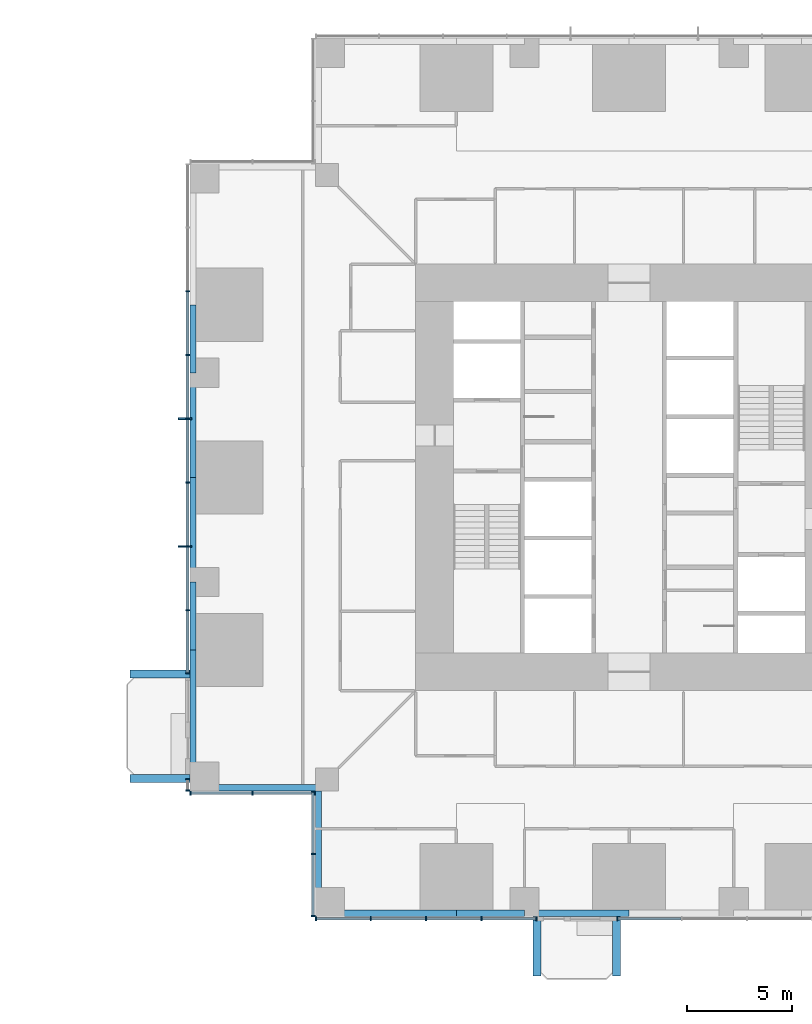
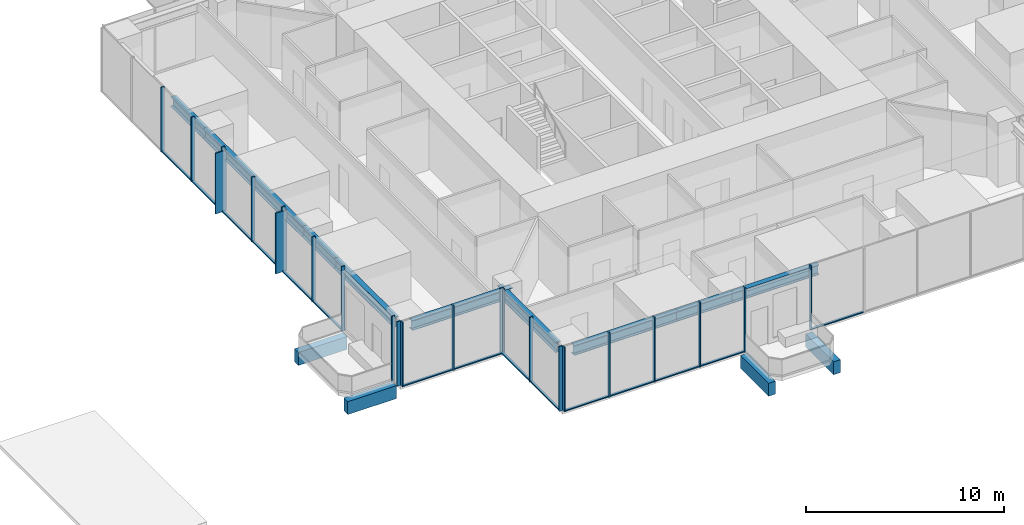
# One storey, part 2 of 16: 38 members, 14 beams, 6 elements without a shape of their own.
"""IFC4 building model written with IfcOpenShell, lengths in metres."""

from ifc_helpers import new_model, si_unit, direction, frame, origin, origin_2d, place, context, subcontext, project, spatial, rectangle, i_section, extrude, material, material_profile, profile_set, type_object, element, aggregate, save


model = new_model("IFC4")

# Units and contexts
model_context = context("Model", 3, precision=1e-05, world=origin(), true_north=direction((0.0, 1.0)))
body_context = subcontext(model_context, "Body", "Model", "MODEL_VIEW")
ifc_project = project(units=[si_unit("LENGTHUNIT", "METRE"), si_unit("AREAUNIT", "SQUARE_METRE"), si_unit("VOLUMEUNIT", "CUBIC_METRE"), si_unit("PLANEANGLEUNIT", "RADIAN"), si_unit("MASSUNIT", "GRAM", prefix="KILO")], contexts=[model_context])

# Site, building, storey
site_placement = place(None, origin())
site = spatial("IfcSite", under=ifc_project, at=site_placement, CompositionType="ELEMENT")
building_placement = place(site_placement, origin())
building = spatial("IfcBuilding", under=site, at=building_placement, Name="Svetlomir Tower", CompositionType="ELEMENT")
storey_placement = place(building_placement, frame((0.0, 0.0, 22.5)))
storey = spatial("IfcBuildingStorey", under=building, at=storey_placement, Name="L04", CompositionType="ELEMENT", Elevation=22.5)

# Beams
ifc_material_1 = material(Name="Concrete C60/75", Category="concrete")
ifc_material_profile_1 = material_profile(ifc_material_1, rectangle(XDim=0.39990234375, YDim=0.800048828125, at=origin_2d()), Name="RC 400x800")
ifc_profile_set_1 = profile_set([ifc_material_profile_1], Name="Concrete C60/75")
beam_type_1 = type_object("IfcBeamType", Name="BALCONY RIB RC 400x800", PredefinedType="BEAM", material=ifc_profile_set_1)
for number, where, z_axis, x_axis, name in (
    (1, (16.60009765625, 0.0, -0.64990234375), (0.0, -1.0, 0.0), (1.0, 0.0, 0.0), "Balcony rib S 1 L04"),
    (2, (20.39990234375, 0.0, -0.64990234375), (0.0, -1.0, 0.0), (1.0, 0.0, 0.0), "Balcony rib S 2 L04"),
    (3, (0.0, 6.60009765625, -0.64990234375), (-1.0, 0.0, 0.0), (0.0, -1.0, 0.0), "Balcony rib W 1 L04"),
    (4, (0.0, 11.60009765625, -0.64990234375), (-1.0, 0.0, 0.0), (0.0, -1.0, 0.0), "Balcony rib W 2 L04"),
):
    element("IfcBeam", number, at=place(storey_placement, frame(where, z_axis=z_axis, x_axis=x_axis)), inside=storey, type_object=beam_type_1, Name=name, PredefinedType="BEAM", context=body_context, shape_type="SweptSolid", body=[
        extrude(rectangle(XDim=0.39990234375, YDim=0.800048828125, at=origin_2d()), origin(), (0.0, 0.0, 1.0), 2.85009765625),
    ])

# Curtain wall, members
ifc_material_2 = material(Name="Bronze anodised aluminium curtain wall", Category="aluminium")
curtain_wall_type = type_object("IfcCurtainWallType", Name="CURTAIN WALL CW1 TOWER OFFICE", PredefinedType="NOTDEFINED", material=ifc_material_2)
curtain_wall_1_placement = place(storey_placement, origin())
curtain_wall_1 = element("IfcCurtainWall", 5, at=curtain_wall_1_placement, inside=storey, type_object=curtain_wall_type, Name="Curtain wall CW1 L04", PredefinedType="NOTDEFINED")
ifc_material_3 = material(Name="Bronze anodised aluminium", Category="aluminium")
ifc_material_profile_2 = material_profile(ifc_material_3, rectangle(XDim=0.080078125, YDim=0.64990234375, at=origin_2d()), Name="FIN 80x650")
ifc_profile_set_2 = profile_set([ifc_material_profile_2], Name="Bronze anodised aluminium 6063-T6")
member_type_1 = type_object("IfcMemberType", Name="BRONZE FIN 80x650", PredefinedType="USERDEFINED", material=ifc_profile_set_2)
member_1_placement = place(storey_placement, frame((-0.22509765625, 23.800048828125, 0.0), z_axis=(0.0, 0.0, 1.0), x_axis=(0.0, 1.0, 0.0)))
member_1 = element("IfcMember", 6, at=member_1_placement, type_object=member_type_1, Name="Bronze fin L04", ObjectType="FIN", PredefinedType="USERDEFINED", context=body_context, shape_type="SweptSolid", body=[
    extrude(rectangle(XDim=0.080078125, YDim=0.64990234375, at=origin_2d()), origin(), (0.0, 0.0, 1.0), 3.75),
])
member_2_placement = place(storey_placement, frame((-0.22509765625, 17.699951171875, 0.0), z_axis=(0.0, 0.0, 1.0), x_axis=(0.0, 1.0, 0.0)))
member_2 = element("IfcMember", 7, at=member_2_placement, type_object=member_type_1, Name="Bronze fin L04", ObjectType="FIN", PredefinedType="USERDEFINED", context=body_context, shape_type="SweptSolid", body=[
    extrude(rectangle(XDim=0.080078125, YDim=0.64990234375, at=origin_2d()), origin(), (0.0, 0.0, 1.0), 3.75),
])

curtain_wall_2_placement = place(storey_placement, origin())
curtain_wall_2 = element("IfcCurtainWall", 8, at=curtain_wall_2_placement, inside=storey, type_object=curtain_wall_type, Name="Curtain wall CW1 L04", PredefinedType="NOTDEFINED")
ifc_material_4 = material(Name="Bronze anodised aluminium", Category="aluminium")
ifc_material_profile_3 = material_profile(ifc_material_4, rectangle(XDim=0.06494140625, YDim=0.199951171875, at=origin_2d()), Name="AL 65x200")
ifc_profile_set_3 = profile_set([ifc_material_profile_3], Name="Bronze anodised aluminium 6063-T6")
member_type_2 = type_object("IfcMemberType", Name="CW1 MULLION 65x200", PredefinedType="MULLION", material=ifc_profile_set_3)
member_3_placement = place(storey_placement, frame((6.032470703125, -0.10009765625, 0.0), z_axis=(0.0, 0.0, 1.0), x_axis=(1.0, 0.0, 0.0)))
member_3 = element("IfcMember", 9, at=member_3_placement, type_object=member_type_2, Name="CW1 mullion 1", PredefinedType="MULLION", context=body_context, shape_type="SweptSolid", body=[
    extrude(rectangle(XDim=0.06494140625, YDim=0.199951171875, at=origin_2d()), origin(), (0.0, 0.0, 1.0), 4.0),
])
member_4_placement = place(storey_placement, frame((8.64990234375, -0.10009765625, 0.0), z_axis=(0.0, 0.0, 1.0), x_axis=(1.0, 0.0, 0.0)))
member_4 = element("IfcMember", 10, at=member_4_placement, type_object=member_type_2, Name="CW1 mullion 2", PredefinedType="MULLION", context=body_context, shape_type="SweptSolid", body=[
    extrude(rectangle(XDim=0.06494140625, YDim=0.199951171875, at=origin_2d()), origin(), (0.0, 0.0, 1.0), 4.0),
])
member_5_placement = place(storey_placement, frame((11.300048828125, -0.10009765625, 0.0), z_axis=(0.0, 0.0, 1.0), x_axis=(1.0, 0.0, 0.0)))
member_5 = element("IfcMember", 11, at=member_5_placement, type_object=member_type_2, Name="CW1 mullion 3", PredefinedType="MULLION", context=body_context, shape_type="SweptSolid", body=[
    extrude(rectangle(XDim=0.06494140625, YDim=0.199951171875, at=origin_2d()), origin(), (0.0, 0.0, 1.0), 4.0),
])
member_6_placement = place(storey_placement, frame((13.949951171875, -0.10009765625, 0.0), z_axis=(0.0, 0.0, 1.0), x_axis=(1.0, 0.0, 0.0)))
member_6 = element("IfcMember", 12, at=member_6_placement, type_object=member_type_2, Name="CW1 mullion 4", PredefinedType="MULLION", context=body_context, shape_type="SweptSolid", body=[
    extrude(rectangle(XDim=0.06494140625, YDim=0.199951171875, at=origin_2d()), origin(), (0.0, 0.0, 1.0), 4.0),
])
member_7_placement = place(storey_placement, frame((16.5673828125, -0.10009765625, 0.0), z_axis=(0.0, 0.0, 1.0), x_axis=(1.0, 0.0, 0.0)))
member_7 = element("IfcMember", 13, at=member_7_placement, type_object=member_type_2, Name="CW1 mullion 5", PredefinedType="MULLION", context=body_context, shape_type="SweptSolid", body=[
    extrude(rectangle(XDim=0.06494140625, YDim=0.199951171875, at=origin_2d()), origin(), (0.0, 0.0, 1.0), 4.0),
])

# Curtain wall, member
curtain_wall_3_placement = place(storey_placement, origin())
curtain_wall_3 = element("IfcCurtainWall", 14, at=curtain_wall_3_placement, inside=storey, type_object=curtain_wall_type, Name="Curtain wall CW1 L04", PredefinedType="NOTDEFINED")
member_8_placement = place(storey_placement, frame((20.4326171875, -0.10009765625, 0.0), z_axis=(0.0, 0.0, 1.0), x_axis=(1.0, 0.0, 0.0)))
member_8 = element("IfcMember", 15, at=member_8_placement, type_object=member_type_2, Name="CW1 mullion 1", PredefinedType="MULLION", context=body_context, shape_type="SweptSolid", body=[
    extrude(rectangle(XDim=0.06494140625, YDim=0.199951171875, at=origin_2d()), origin(), (0.0, 0.0, 1.0), 4.0),
])

# Member
member_9_placement = place(storey_placement, frame((-0.10009765625, 29.89990234375, 0.0), z_axis=(0.0, 0.0, 1.0), x_axis=(0.0, -1.0, 0.0)))
member_9 = element("IfcMember", 16, at=member_9_placement, type_object=member_type_2, Name="CW1 mullion 3", PredefinedType="MULLION", context=body_context, shape_type="SweptSolid", body=[
    extrude(rectangle(XDim=0.06494140625, YDim=0.199951171875, at=origin_2d()), origin(), (0.0, 0.0, 1.0), 4.0),
])

member_10_placement = place(storey_placement, frame((-0.10009765625, 26.85009765625, 0.0), z_axis=(0.0, 0.0, 1.0), x_axis=(0.0, -1.0, 0.0)))
member_10 = element("IfcMember", 17, at=member_10_placement, type_object=member_type_2, Name="CW1 mullion 4", PredefinedType="MULLION", context=body_context, shape_type="SweptSolid", body=[
    extrude(rectangle(XDim=0.06494140625, YDim=0.199951171875, at=origin_2d()), origin(), (0.0, 0.0, 1.0), 4.0),
])

member_11_placement = place(storey_placement, frame((-0.10009765625, 23.800048828125, 0.0), z_axis=(0.0, 0.0, 1.0), x_axis=(0.0, -1.0, 0.0)))
member_11 = element("IfcMember", 18, at=member_11_placement, type_object=member_type_2, Name="CW1 mullion 5", PredefinedType="MULLION", context=body_context, shape_type="SweptSolid", body=[
    extrude(rectangle(XDim=0.06494140625, YDim=0.199951171875, at=origin_2d()), origin(), (0.0, 0.0, 1.0), 4.0),
])

member_12_placement = place(storey_placement, frame((-0.10009765625, 20.75, 0.0), z_axis=(0.0, 0.0, 1.0), x_axis=(0.0, -1.0, 0.0)))
member_12 = element("IfcMember", 19, at=member_12_placement, type_object=member_type_2, Name="CW1 mullion 6", PredefinedType="MULLION", context=body_context, shape_type="SweptSolid", body=[
    extrude(rectangle(XDim=0.06494140625, YDim=0.199951171875, at=origin_2d()), origin(), (0.0, 0.0, 1.0), 4.0),
])

member_13_placement = place(storey_placement, frame((-0.10009765625, 17.699951171875, 0.0), z_axis=(0.0, 0.0, 1.0), x_axis=(0.0, -1.0, 0.0)))
member_13 = element("IfcMember", 20, at=member_13_placement, type_object=member_type_2, Name="CW1 mullion 7", PredefinedType="MULLION", context=body_context, shape_type="SweptSolid", body=[
    extrude(rectangle(XDim=0.06494140625, YDim=0.199951171875, at=origin_2d()), origin(), (0.0, 0.0, 1.0), 4.0),
])

member_14_placement = place(storey_placement, frame((-0.10009765625, 14.64990234375, 0.0), z_axis=(0.0, 0.0, 1.0), x_axis=(0.0, -1.0, 0.0)))
member_14 = element("IfcMember", 21, at=member_14_placement, type_object=member_type_2, Name="CW1 mullion 8", PredefinedType="MULLION", context=body_context, shape_type="SweptSolid", body=[
    extrude(rectangle(XDim=0.06494140625, YDim=0.199951171875, at=origin_2d()), origin(), (0.0, 0.0, 1.0), 4.0),
])

member_15_placement = place(storey_placement, frame((-0.10009765625, 11.632568359375, 0.0), z_axis=(0.0, 0.0, 1.0), x_axis=(0.0, -1.0, 0.0)))
member_15 = element("IfcMember", 22, at=member_15_placement, type_object=member_type_2, Name="CW1 mullion 9", PredefinedType="MULLION", context=body_context, shape_type="SweptSolid", body=[
    extrude(rectangle(XDim=0.06494140625, YDim=0.199951171875, at=origin_2d()), origin(), (0.0, 0.0, 1.0), 4.0),
])

# Curtain wall, members
curtain_wall_4_placement = place(storey_placement, origin())
curtain_wall_4 = element("IfcCurtainWall", 23, at=curtain_wall_4_placement, inside=storey, type_object=curtain_wall_type, Name="Curtain wall CW1 L04", PredefinedType="NOTDEFINED")
member_16_placement = place(storey_placement, frame((-0.10009765625, 6.5673828125, 0.0), z_axis=(0.0, 0.0, 1.0), x_axis=(0.0, -1.0, 0.0)))
member_16 = element("IfcMember", 24, at=member_16_placement, type_object=member_type_2, Name="CW1 mullion 1", PredefinedType="MULLION", context=body_context, shape_type="SweptSolid", body=[
    extrude(rectangle(XDim=0.06494140625, YDim=0.199951171875, at=origin_2d()), origin(), (0.0, 0.0, 1.0), 4.0),
])
member_17_placement = place(storey_placement, frame((-0.10009765625, 6.032470703125, 0.0), z_axis=(0.0, 0.0, 1.0), x_axis=(0.0, -1.0, 0.0)))
member_17 = element("IfcMember", 25, at=member_17_placement, type_object=member_type_2, Name="CW1 mullion 2", PredefinedType="MULLION", context=body_context, shape_type="SweptSolid", body=[
    extrude(rectangle(XDim=0.06494140625, YDim=0.199951171875, at=origin_2d()), origin(), (0.0, 0.0, 1.0), 4.0),
])
aggregate(curtain_wall_4, [member_16, member_17])

curtain_wall_5_placement = place(storey_placement, origin())
curtain_wall_5 = element("IfcCurtainWall", 26, at=curtain_wall_5_placement, inside=storey, type_object=curtain_wall_type, Name="Curtain wall CW1 L04", PredefinedType="NOTDEFINED")
member_18_placement = place(storey_placement, frame((0.032470703125, 5.89990234375, 0.0), z_axis=(0.0, 0.0, 1.0), x_axis=(1.0, 0.0, 0.0)))
member_18 = element("IfcMember", 27, at=member_18_placement, type_object=member_type_2, Name="CW1 mullion 1", PredefinedType="MULLION", context=body_context, shape_type="SweptSolid", body=[
    extrude(rectangle(XDim=0.06494140625, YDim=0.199951171875, at=origin_2d()), origin(), (0.0, 0.0, 1.0), 4.0),
])
member_19_placement = place(storey_placement, frame((3.0, 5.89990234375, 0.0), z_axis=(0.0, 0.0, 1.0), x_axis=(1.0, 0.0, 0.0)))
member_19 = element("IfcMember", 28, at=member_19_placement, type_object=member_type_2, Name="CW1 mullion 2", PredefinedType="MULLION", context=body_context, shape_type="SweptSolid", body=[
    extrude(rectangle(XDim=0.06494140625, YDim=0.199951171875, at=origin_2d()), origin(), (0.0, 0.0, 1.0), 4.0),
])
member_20_placement = place(storey_placement, frame((5.967529296875, 5.89990234375, 0.0), z_axis=(0.0, 0.0, 1.0), x_axis=(1.0, 0.0, 0.0)))
member_20 = element("IfcMember", 29, at=member_20_placement, type_object=member_type_2, Name="CW1 mullion 3", PredefinedType="MULLION", context=body_context, shape_type="SweptSolid", body=[
    extrude(rectangle(XDim=0.06494140625, YDim=0.199951171875, at=origin_2d()), origin(), (0.0, 0.0, 1.0), 4.0),
])

curtain_wall_6_placement = place(storey_placement, origin())
curtain_wall_6 = element("IfcCurtainWall", 30, at=curtain_wall_6_placement, inside=storey, type_object=curtain_wall_type, Name="Curtain wall CW1 L04", PredefinedType="NOTDEFINED")
member_21_placement = place(storey_placement, frame((5.89990234375, 5.967529296875, 0.0), z_axis=(0.0, 0.0, 1.0), x_axis=(0.0, -1.0, 0.0)))
member_21 = element("IfcMember", 31, at=member_21_placement, type_object=member_type_2, Name="CW1 mullion 1", PredefinedType="MULLION", context=body_context, shape_type="SweptSolid", body=[
    extrude(rectangle(XDim=0.06494140625, YDim=0.199951171875, at=origin_2d()), origin(), (0.0, 0.0, 1.0), 4.0),
])
member_22_placement = place(storey_placement, frame((5.89990234375, 3.0, 0.0), z_axis=(0.0, 0.0, 1.0), x_axis=(0.0, -1.0, 0.0)))
member_22 = element("IfcMember", 32, at=member_22_placement, type_object=member_type_2, Name="CW1 mullion 2", PredefinedType="MULLION", context=body_context, shape_type="SweptSolid", body=[
    extrude(rectangle(XDim=0.06494140625, YDim=0.199951171875, at=origin_2d()), origin(), (0.0, 0.0, 1.0), 4.0),
])
member_23_placement = place(storey_placement, frame((5.89990234375, 0.032470703125, 0.0), z_axis=(0.0, 0.0, 1.0), x_axis=(0.0, -1.0, 0.0)))
member_23 = element("IfcMember", 33, at=member_23_placement, type_object=member_type_2, Name="CW1 mullion 3", PredefinedType="MULLION", context=body_context, shape_type="SweptSolid", body=[
    extrude(rectangle(XDim=0.06494140625, YDim=0.199951171875, at=origin_2d()), origin(), (0.0, 0.0, 1.0), 4.0),
])

# Member
ifc_material_5 = material(Name="Bronze anodised aluminium", Category="aluminium")
ifc_material_profile_4 = material_profile(ifc_material_5, rectangle(XDim=0.139892578125, YDim=0.06494140625, at=origin_2d()), Name="AL 140x65")
ifc_profile_set_4 = profile_set([ifc_material_profile_4], Name="Bronze anodised aluminium 6063-T6")
member_type_3 = type_object("IfcMemberType", Name="CW1 TRANSOM 65x140", PredefinedType="USERDEFINED", material=ifc_profile_set_4)
member_24_placement = place(storey_placement, frame((6.06494140625, -0.10009765625, 0.032470703125), z_axis=(1.0, 0.0, 0.0), x_axis=(0.0, 1.0, 0.0)))
member_24 = element("IfcMember", 34, at=member_24_placement, type_object=member_type_3, Name="CW1 transom 1.1", ObjectType="TRANSOM", PredefinedType="USERDEFINED", context=body_context, shape_type="SweptSolid", body=[
    extrude(rectangle(XDim=0.139892578125, YDim=0.06494140625, at=origin_2d()), origin(), (0.0, 0.0, 1.0), 2.552490234375),
])

member_25_placement = place(storey_placement, frame((8.6826171875, -0.10009765625, 0.032470703125), z_axis=(1.0, 0.0, 0.0), x_axis=(0.0, 1.0, 0.0)))
member_25 = element("IfcMember", 35, at=member_25_placement, type_object=member_type_3, Name="CW1 transom 2.1", ObjectType="TRANSOM", PredefinedType="USERDEFINED", context=body_context, shape_type="SweptSolid", body=[
    extrude(rectangle(XDim=0.139892578125, YDim=0.06494140625, at=origin_2d()), origin(), (0.0, 0.0, 1.0), 2.5849609375),
])

member_26_placement = place(storey_placement, frame((11.33251953125, -0.10009765625, 0.032470703125), z_axis=(1.0, 0.0, 0.0), x_axis=(0.0, 1.0, 0.0)))
member_26 = element("IfcMember", 36, at=member_26_placement, type_object=member_type_3, Name="CW1 transom 3.1", ObjectType="TRANSOM", PredefinedType="USERDEFINED", context=body_context, shape_type="SweptSolid", body=[
    extrude(rectangle(XDim=0.139892578125, YDim=0.06494140625, at=origin_2d()), origin(), (0.0, 0.0, 1.0), 2.5849609375),
])

member_27_placement = place(storey_placement, frame((13.982421875, -0.10009765625, 0.032470703125), z_axis=(1.0, 0.0, 0.0), x_axis=(0.0, 1.0, 0.0)))
member_27 = element("IfcMember", 37, at=member_27_placement, type_object=member_type_3, Name="CW1 transom 4.1", ObjectType="TRANSOM", PredefinedType="USERDEFINED", context=body_context, shape_type="SweptSolid", body=[
    extrude(rectangle(XDim=0.139892578125, YDim=0.06494140625, at=origin_2d()), origin(), (0.0, 0.0, 1.0), 2.552490234375),
])

aggregate(curtain_wall_2, [member_3, member_4, member_5, member_6, member_7, member_24, member_25, member_26, member_27])

member_28_placement = place(storey_placement, frame((20.465087890625, -0.10009765625, 0.032470703125), z_axis=(1.0, 0.0, 0.0), x_axis=(0.0, 1.0, 0.0)))
member_28 = element("IfcMember", 38, at=member_28_placement, type_object=member_type_3, Name="CW1 transom 1.1", ObjectType="TRANSOM", PredefinedType="USERDEFINED", context=body_context, shape_type="SweptSolid", body=[
    extrude(rectangle(XDim=0.139892578125, YDim=0.06494140625, at=origin_2d()), origin(), (0.0, 0.0, 1.0), 3.0224609375),
])

aggregate(curtain_wall_3, [member_8, member_28])

member_29_placement = place(storey_placement, frame((-0.10009765625, 29.867431640625, 0.032470703125), z_axis=(0.0, -1.0, 0.0), x_axis=(1.0, 0.0, 0.0)))
member_29 = element("IfcMember", 39, at=member_29_placement, type_object=member_type_3, Name="CW1 transom 3.1", ObjectType="TRANSOM", PredefinedType="USERDEFINED", context=body_context, shape_type="SweptSolid", body=[
    extrude(rectangle(XDim=0.139892578125, YDim=0.06494140625, at=origin_2d()), origin(), (0.0, 0.0, 1.0), 2.98486328125),
])

member_30_placement = place(storey_placement, frame((-0.10009765625, 26.8173828125, 0.032470703125), z_axis=(0.0, -1.0, 0.0), x_axis=(1.0, 0.0, 0.0)))
member_30 = element("IfcMember", 40, at=member_30_placement, type_object=member_type_3, Name="CW1 transom 4.1", ObjectType="TRANSOM", PredefinedType="USERDEFINED", context=body_context, shape_type="SweptSolid", body=[
    extrude(rectangle(XDim=0.139892578125, YDim=0.06494140625, at=origin_2d()), origin(), (0.0, 0.0, 1.0), 2.98486328125),
])

member_31_placement = place(storey_placement, frame((-0.10009765625, 23.767578125, 0.032470703125), z_axis=(0.0, -1.0, 0.0), x_axis=(1.0, 0.0, 0.0)))
member_31 = element("IfcMember", 41, at=member_31_placement, type_object=member_type_3, Name="CW1 transom 5.1", ObjectType="TRANSOM", PredefinedType="USERDEFINED", context=body_context, shape_type="SweptSolid", body=[
    extrude(rectangle(XDim=0.139892578125, YDim=0.06494140625, at=origin_2d()), origin(), (0.0, 0.0, 1.0), 2.985107421875),
])

member_32_placement = place(storey_placement, frame((-0.10009765625, 20.717529296875, 0.032470703125), z_axis=(0.0, -1.0, 0.0), x_axis=(1.0, 0.0, 0.0)))
member_32 = element("IfcMember", 42, at=member_32_placement, type_object=member_type_3, Name="CW1 transom 6.1", ObjectType="TRANSOM", PredefinedType="USERDEFINED", context=body_context, shape_type="SweptSolid", body=[
    extrude(rectangle(XDim=0.139892578125, YDim=0.06494140625, at=origin_2d()), origin(), (0.0, 0.0, 1.0), 2.985107421875),
])

member_33_placement = place(storey_placement, frame((-0.10009765625, 17.66748046875, 0.032470703125), z_axis=(0.0, -1.0, 0.0), x_axis=(1.0, 0.0, 0.0)))
member_33 = element("IfcMember", 43, at=member_33_placement, type_object=member_type_3, Name="CW1 transom 7.1", ObjectType="TRANSOM", PredefinedType="USERDEFINED", context=body_context, shape_type="SweptSolid", body=[
    extrude(rectangle(XDim=0.139892578125, YDim=0.06494140625, at=origin_2d()), origin(), (0.0, 0.0, 1.0), 2.98486328125),
])

member_34_placement = place(storey_placement, frame((-0.10009765625, 14.617431640625, 0.032470703125), z_axis=(0.0, -1.0, 0.0), x_axis=(1.0, 0.0, 0.0)))
member_34 = element("IfcMember", 44, at=member_34_placement, type_object=member_type_3, Name="CW1 transom 8.1", ObjectType="TRANSOM", PredefinedType="USERDEFINED", context=body_context, shape_type="SweptSolid", body=[
    extrude(rectangle(XDim=0.139892578125, YDim=0.06494140625, at=origin_2d()), origin(), (0.0, 0.0, 1.0), 2.952392578125),
])

aggregate(curtain_wall_1, [member_9, member_10, member_11, member_12, member_13, member_14, member_15, member_29, member_30, member_31, member_32, member_33, member_34, member_1, member_2])

member_35_placement = place(storey_placement, frame((0.06494140625, 5.89990234375, 0.032470703125), z_axis=(1.0, 0.0, 0.0), x_axis=(0.0, 1.0, 0.0)))
member_35 = element("IfcMember", 45, at=member_35_placement, type_object=member_type_3, Name="CW1 transom 1.1", ObjectType="TRANSOM", PredefinedType="USERDEFINED", context=body_context, shape_type="SweptSolid", body=[
    extrude(rectangle(XDim=0.139892578125, YDim=0.06494140625, at=origin_2d()), origin(), (0.0, 0.0, 1.0), 2.902587890625),
])

member_36_placement = place(storey_placement, frame((3.032470703125, 5.89990234375, 0.032470703125), z_axis=(1.0, 0.0, 0.0), x_axis=(0.0, 1.0, 0.0)))
member_36 = element("IfcMember", 46, at=member_36_placement, type_object=member_type_3, Name="CW1 transom 2.1", ObjectType="TRANSOM", PredefinedType="USERDEFINED", context=body_context, shape_type="SweptSolid", body=[
    extrude(rectangle(XDim=0.139892578125, YDim=0.06494140625, at=origin_2d()), origin(), (0.0, 0.0, 1.0), 2.902587890625),
])

aggregate(curtain_wall_5, [member_18, member_19, member_20, member_35, member_36])

member_37_placement = place(storey_placement, frame((5.89990234375, 5.93505859375, 0.032470703125), z_axis=(0.0, -1.0, 0.0), x_axis=(1.0, 0.0, 0.0)))
member_37 = element("IfcMember", 47, at=member_37_placement, type_object=member_type_3, Name="CW1 transom 1.1", ObjectType="TRANSOM", PredefinedType="USERDEFINED", context=body_context, shape_type="SweptSolid", body=[
    extrude(rectangle(XDim=0.139892578125, YDim=0.06494140625, at=origin_2d()), origin(), (0.0, 0.0, 1.0), 2.902587890625),
])

member_38_placement = place(storey_placement, frame((5.89990234375, 2.967529296875, 0.032470703125), z_axis=(0.0, -1.0, 0.0), x_axis=(1.0, 0.0, 0.0)))
member_38 = element("IfcMember", 48, at=member_38_placement, type_object=member_type_3, Name="CW1 transom 2.1", ObjectType="TRANSOM", PredefinedType="USERDEFINED", context=body_context, shape_type="SweptSolid", body=[
    extrude(rectangle(XDim=0.139892578125, YDim=0.06494140625, at=origin_2d()), origin(), (0.0, 0.0, 1.0), 2.902587890625),
])

aggregate(curtain_wall_6, [member_21, member_22, member_23, member_37, member_38])

# Beams
ifc_material_6 = material(Name="Steel S355", Category="steel")
ifc_material_profile_5 = material_profile(ifc_material_6, i_section(OverallWidth=0.304931640625, OverallDepth=0.6201171875, WebThickness=0.02099609375, FlangeThickness=0.0400390625, FilletRadius=0.027099609375, at=origin_2d()), Name="HEM 600")
ifc_profile_set_5 = profile_set([ifc_material_profile_5], Name="Steel S355")
beam_type_2 = type_object("IfcBeamType", Name="EDGE BEAM HEM 600", PredefinedType="SPANDREL", material=ifc_profile_set_5)
for number, where, z_axis, x_axis, name in (
    (49, (6.699951171875, 0.152587890625, 3.43994140625), (1.0, 0.0, 0.0), (0.0, 1.0, 0.0), "Edge beam 6/0 to 11/0 under L05"),
    (50, (0.152587890625, 6.699951171875, 3.43994140625), (0.0, 1.0, 0.0), (-1.0, 0.0, 0.0), "Edge beam 0/6 to 0/11 under L05"),
):
    element("IfcBeam", number, at=place(storey_placement, frame(where, z_axis=z_axis, x_axis=x_axis)), inside=storey, type_object=beam_type_2, Name=name, PredefinedType="SPANDREL", context=body_context, shape_type="SweptSolid", body=[
        extrude(i_section(OverallWidth=0.304931640625, OverallDepth=0.6201171875, WebThickness=0.02099609375, FlangeThickness=0.0400390625, FilletRadius=0.027099609375, at=origin_2d()), origin(), (0.0, 0.0, 1.0), 6.050048828125),
    ])
for number, where, z_axis, x_axis, name in (
    (51, (12.75, 0.152587890625, 3.43994140625), (1.0, 0.0, 0.0), (0.0, 1.0, 0.0), "Edge beam 11/0 to 16/0 under L05"),
    (52, (0.152587890625, 12.75, 3.43994140625), (0.0, 1.0, 0.0), (-1.0, 0.0, 0.0), "Edge beam 0/11 to 0/16 under L05"),
):
    element("IfcBeam", number, at=place(storey_placement, frame(where, z_axis=z_axis, x_axis=x_axis)), inside=storey, type_object=beam_type_2, Name=name, PredefinedType="SPANDREL", context=body_context, shape_type="SweptSolid", body=[
        extrude(i_section(OverallWidth=0.304931640625, OverallDepth=0.6201171875, WebThickness=0.02099609375, FlangeThickness=0.0400390625, FilletRadius=0.027099609375, at=origin_2d()), origin(), (0.0, 0.0, 1.0), 3.25),
    ])
for number, where, z_axis, x_axis, name in (
    (53, (16.0, 0.152587890625, 3.43994140625), (1.0, 0.0, 0.0), (0.0, 1.0, 0.0), "Edge beam 16/0 to 21/0 under L05"),
    (54, (0.152587890625, 16.0, 3.43994140625), (0.0, 1.0, 0.0), (-1.0, 0.0, 0.0), "Edge beam 0/16 to 0/21 under L05"),
    (55, (0.152587890625, 21.0, 3.43994140625), (0.0, 1.0, 0.0), (-1.0, 0.0, 0.0), "Edge beam 0/21 to 0/26 under L05"),
):
    element("IfcBeam", number, at=place(storey_placement, frame(where, z_axis=z_axis, x_axis=x_axis)), inside=storey, type_object=beam_type_2, Name=name, PredefinedType="SPANDREL", context=body_context, shape_type="SweptSolid", body=[
        extrude(i_section(OverallWidth=0.304931640625, OverallDepth=0.6201171875, WebThickness=0.02099609375, FlangeThickness=0.0400390625, FilletRadius=0.027099609375, at=origin_2d()), origin(), (0.0, 0.0, 1.0), 5.0),
    ])
beam_placement = place(storey_placement, frame((0.152587890625, 26.0, 3.43994140625), z_axis=(0.0, 1.0, 0.0), x_axis=(-1.0, 0.0, 0.0)))
element("IfcBeam", 56, at=beam_placement, inside=storey, type_object=beam_type_2, Name="Edge beam 0/26 to 0/31 under L05", PredefinedType="SPANDREL", context=body_context, shape_type="SweptSolid", body=[
    extrude(i_section(OverallWidth=0.304931640625, OverallDepth=0.6201171875, WebThickness=0.02099609375, FlangeThickness=0.0400390625, FilletRadius=0.027099609375, at=origin_2d()), origin(), (0.0, 0.0, 1.0), 3.25),
])
for number, where, z_axis, x_axis, name in (
    (57, (6.152587890625, 0.699951171875, 3.43994140625), (0.0, 1.0, 0.0), (-1.0, 0.0, 0.0), "Edge beam 6/0 to 6/6 under L05"),
    (58, (0.699951171875, 6.152587890625, 3.43994140625), (1.0, 0.0, 0.0), (0.0, 1.0, 0.0), "Edge beam 0/6 to 6/6 under L05"),
):
    element("IfcBeam", number, at=place(storey_placement, frame(where, z_axis=z_axis, x_axis=x_axis)), inside=storey, type_object=beam_type_2, Name=name, PredefinedType="SPANDREL", context=body_context, shape_type="SweptSolid", body=[
        extrude(i_section(OverallWidth=0.304931640625, OverallDepth=0.6201171875, WebThickness=0.02099609375, FlangeThickness=0.0400390625, FilletRadius=0.027099609375, at=origin_2d()), origin(), (0.0, 0.0, 1.0), 5.85009765625),
    ])

save(model, "model.ifc")
